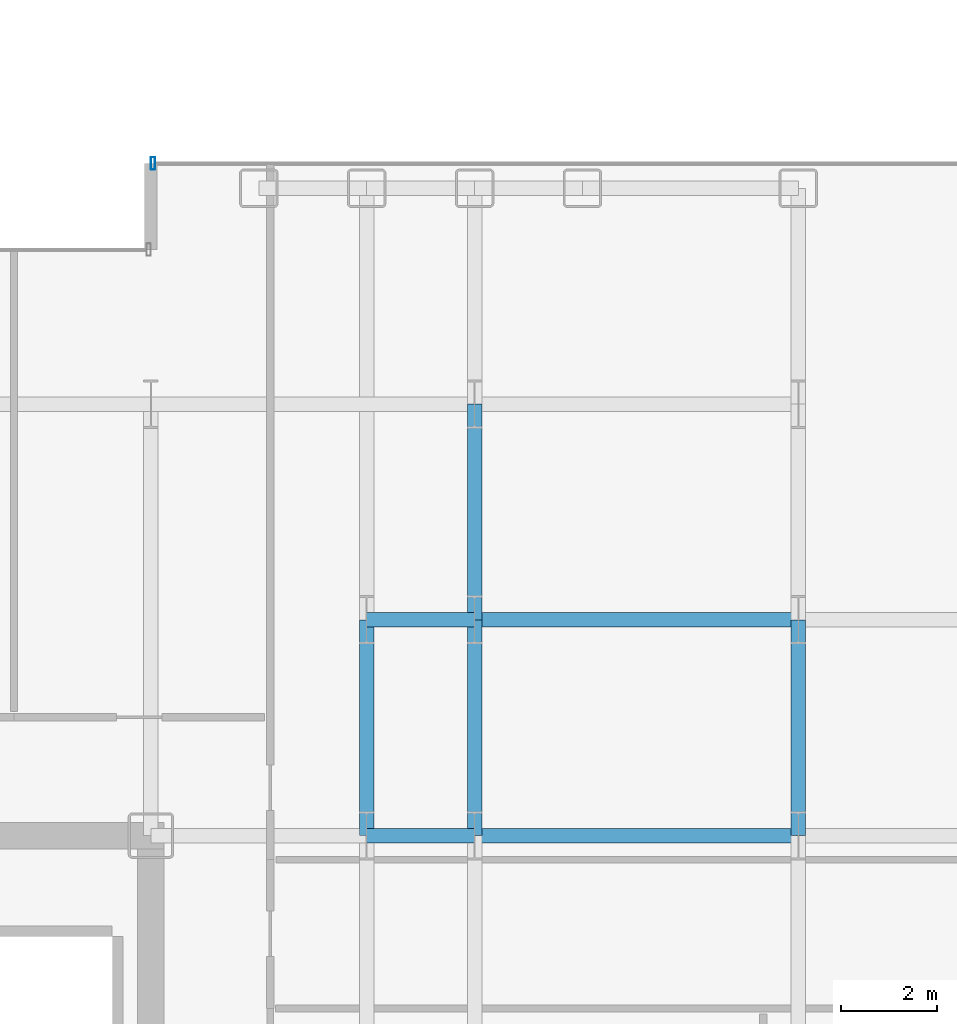
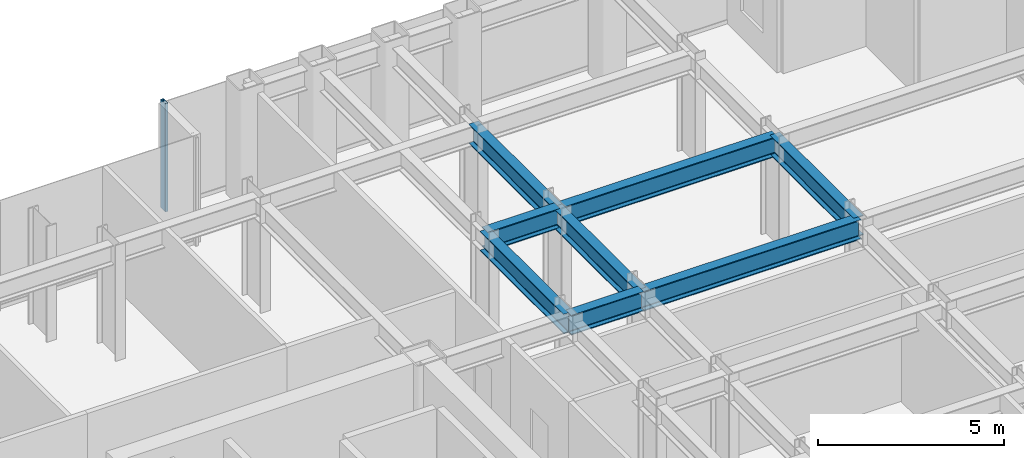
# One storey, part 15 of 29: 8 beams, 1 member, 1 element without a shape of its own.
"""IFC4 building model written with IfcOpenShell, lengths in metres."""

from ifc_helpers import new_model, si_unit, direction, frame, origin, origin_2d, place, context, subcontext, project, spatial, hollow_rectangle, i_section, extrude, source, transform, mapped, material, layer, layer_set, material_profile, profile_set, type_object, element, aggregate, save


model = new_model("IFC4")

# Units and contexts
model_context = context("Model", 3, precision=1e-05, world=origin(), true_north=direction((0.0, 1.0)))
body_context = subcontext(model_context, "Body", "Model", "MODEL_VIEW")
ifc_project = project(units=[si_unit("LENGTHUNIT", "METRE"), si_unit("AREAUNIT", "SQUARE_METRE"), si_unit("VOLUMEUNIT", "CUBIC_METRE"), si_unit("PLANEANGLEUNIT", "RADIAN"), si_unit("MASSUNIT", "GRAM", prefix="KILO")], contexts=[model_context])

# Site, building, storey
site_placement = place(None, origin())
site = spatial("IfcSite", under=ifc_project, at=site_placement, CompositionType="ELEMENT")
building_placement = place(site_placement, origin())
building = spatial("IfcBuilding", under=site, at=building_placement, Name="Nefas-Gora Pilgrimage Tower", CompositionType="ELEMENT")
storey_placement = place(building_placement, frame((0.0, 0.0, 125.0)))
storey = spatial("IfcBuildingStorey", under=building, at=storey_placement, Name="L30", CompositionType="ELEMENT", Elevation=125.0)

# Beams
ifc_material_1 = material(Name="Steel S355", Category="steel")
ifc_material_profile_1 = material_profile(ifc_material_1, i_section(OverallWidth=0.300048828125, OverallDepth=0.64990234375, WebThickness=0.01611328125, FlangeThickness=0.031005859375, FilletRadius=0.027099609375, at=origin_2d()), Name="HEB 650")
ifc_profile_set_1 = profile_set([ifc_material_profile_1], Name="Steel S355")
beam_type = type_object("IfcBeamType", Name="BM-GIR-HEB650", PredefinedType="BEAM", material=ifc_profile_set_1)
shared_shape_1 = source(origin(), body_context, "Body", "SweptSolid", [
    extrude(i_section(OverallWidth=0.300048828125, OverallDepth=0.64990234375, WebThickness=0.01611328125, FlangeThickness=0.031005859375, FilletRadius=0.027099609375, at=origin_2d()), origin(), (0.0, 0.0, 1.0), 4.5),
])
for number, where, z_axis, x_axis, name in (
    (1, (15.75, 9.0, 3.22509765625), (0.0, 1.0, 0.0), (-1.0, 0.0, 0.0), "L30 G-03 beam"),
    (2, (18.0, 9.0, 3.22509765625), (0.0, 1.0, 0.0), (-1.0, 0.0, 0.0), "L30 G-03 beam"),
    (3, (18.0, 13.5, 3.22509765625), (0.0, 1.0, 0.0), (-1.0, 0.0, 0.0), "L30 G-03 beam"),
    (4, (24.75, 9.0, 3.22509765625), (0.0, 1.0, 0.0), (-1.0, 0.0, 0.0), "L30 G-03 beam"),
):
    element("IfcBeam", number, at=place(storey_placement, frame(where, z_axis=z_axis, x_axis=x_axis)), inside=storey, type_object=beam_type, Name=name, PredefinedType="BEAM", context=body_context, shape_type="MappedRepresentation", body=[
        mapped(shared_shape_1, transform((0.0, 0.0, 0.0), x_axis=(1.0, 0.0, 0.0), y_axis=(0.0, 1.0, 0.0), z_axis=(0.0, 0.0, 1.0), scale=1.0)),
    ])
shared_shape_2 = source(origin(), body_context, "Body", "SweptSolid", [
    extrude(i_section(OverallWidth=0.300048828125, OverallDepth=0.64990234375, WebThickness=0.01611328125, FlangeThickness=0.031005859375, FilletRadius=0.027099609375, at=origin_2d()), origin(), (0.0, 0.0, 1.0), 6.75),
])
for number, where, z_axis, x_axis, name in (
    (5, (18.0, 9.0, 3.22509765625), (1.0, 0.0, 0.0), (0.0, 1.0, 0.0), "L30 G-03 beam"),
    (6, (18.0, 13.5, 3.22509765625), (1.0, 0.0, 0.0), (0.0, 1.0, 0.0), "L30 G-03 beam"),
):
    element("IfcBeam", number, at=place(storey_placement, frame(where, z_axis=z_axis, x_axis=x_axis)), inside=storey, type_object=beam_type, Name=name, PredefinedType="BEAM", context=body_context, shape_type="MappedRepresentation", body=[
        mapped(shared_shape_2, transform((0.0, 0.0, 0.0), x_axis=(1.0, 0.0, 0.0), y_axis=(0.0, 1.0, 0.0), z_axis=(0.0, 0.0, 1.0), scale=1.0)),
    ])
shared_shape_3 = source(origin(), body_context, "Body", "SweptSolid", [
    extrude(i_section(OverallWidth=0.300048828125, OverallDepth=0.64990234375, WebThickness=0.01611328125, FlangeThickness=0.031005859375, FilletRadius=0.027099609375, at=origin_2d()), origin(), (0.0, 0.0, 1.0), 2.25),
])
for number, where, z_axis, x_axis, name in (
    (7, (15.75, 9.0, 3.22509765625), (1.0, 0.0, 0.0), (0.0, 1.0, 0.0), "L30 G-03 beam"),
    (8, (15.75, 13.5, 3.22509765625), (1.0, 0.0, 0.0), (0.0, 1.0, 0.0), "L30 G-03 beam"),
):
    element("IfcBeam", number, at=place(storey_placement, frame(where, z_axis=z_axis, x_axis=x_axis)), inside=storey, type_object=beam_type, Name=name, PredefinedType="BEAM", context=body_context, shape_type="MappedRepresentation", body=[
        mapped(shared_shape_3, transform((0.0, 0.0, 0.0), x_axis=(1.0, 0.0, 0.0), y_axis=(0.0, 1.0, 0.0), z_axis=(0.0, 0.0, 1.0), scale=1.0)),
    ])

# Curtain wall, member
ifc_material_2 = material(Name="Dark ceramic-fritted solar-control aluminium-glass curtain wall", Category="aluminium")
ifc_layer = layer(ifc_material_2, 0.219970703125)
ifc_layer_set = layer_set([ifc_layer], Name="Dark ceramic-fritted solar-control aluminium-glass curtain wall")
curtain_wall_type = type_object("IfcCurtainWallType", Name="CW-SYS-2", PredefinedType="NOTDEFINED", material=ifc_layer_set)
curtain_wall_placement = place(storey_placement, origin())
curtain_wall = element("IfcCurtainWall", 9, at=curtain_wall_placement, inside=storey, type_object=curtain_wall_type, Name="L30 Unitised Curtain Wall CW2", PredefinedType="NOTDEFINED")
ifc_material_3 = material(Name="Anodised architectural aluminium", Category="aluminium")
ifc_material_profile_2 = material_profile(ifc_material_3, hollow_rectangle(XDim=0.090087890625, YDim=0.260009765625, WallThickness=0.006103515625, InnerFilletRadius=0.006103515625, OuterFilletRadius=0.011962890625, at=origin_2d()), Name="ALU MULLION 90x260")
ifc_profile_set_2 = profile_set([ifc_material_profile_2], Name="Anodised architectural aluminium")
member_type = type_object("IfcMemberType", Name="CWM-MUL-2", PredefinedType="MULLION", material=ifc_profile_set_2)
shared_shape_4 = source(origin(), body_context, "Body", "SweptSolid", [
    extrude(hollow_rectangle(XDim=0.090087890625, YDim=0.260009765625, WallThickness=0.006103515625, InnerFilletRadius=0.006103515625, OuterFilletRadius=0.011962890625, at=origin_2d()), origin(), (0.0, 0.0, 1.0), 3.550048828125),
])
member_placement = place(storey_placement, frame((11.294921875, 23.02001953125, 0.0), z_axis=(0.0, 0.0, 1.0), x_axis=(-1.0, 0.0, 0.0)))
member = element("IfcMember", 10, at=member_placement, type_object=member_type, Name="CW2 Mullion 2", PredefinedType="MULLION", context=body_context, shape_type="MappedRepresentation", body=[
    mapped(shared_shape_4, transform((0.0, 0.0, 0.0), x_axis=(1.0, 0.0, 0.0), y_axis=(0.0, 1.0, 0.0), z_axis=(0.0, 0.0, 1.0), scale=1.0)),
])
aggregate(curtain_wall, [member])

save(model, "model.ifc")
